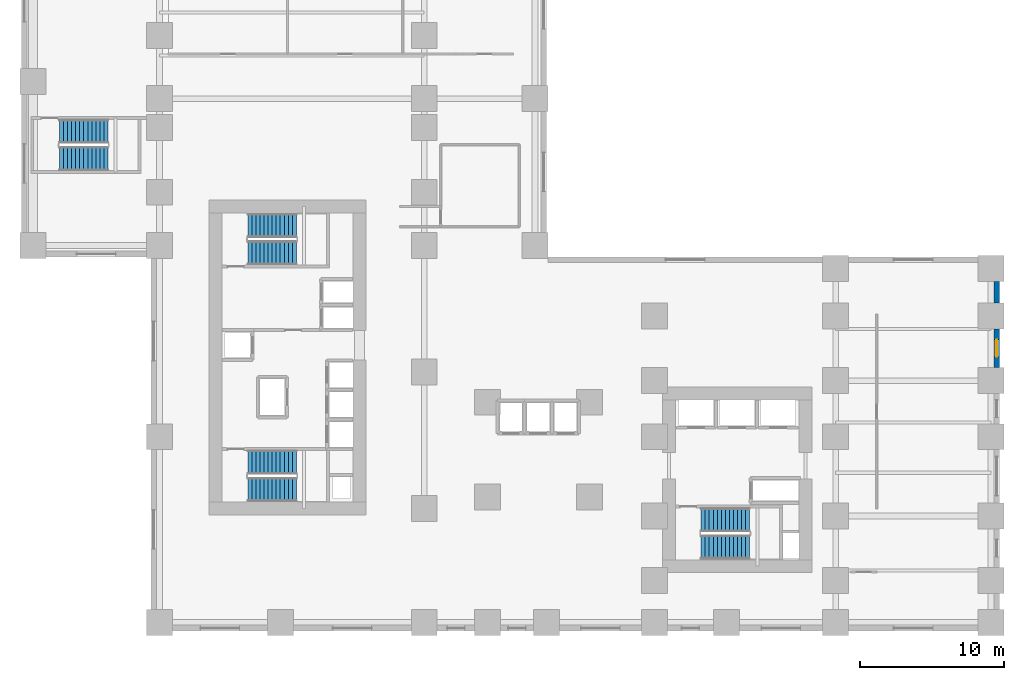
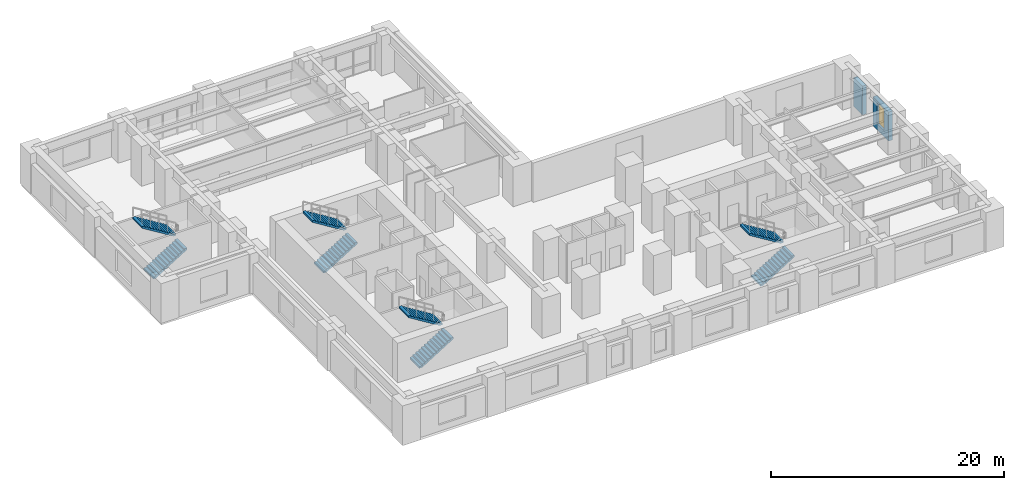
# One storey, part 8 of 11: 8 stair flights, 2 walls, 1 window, 1 opening, 4 elements without a shape of their own.
"""IFC4 building model written with IfcOpenShell, lengths in metres."""

from ifc_helpers import new_model, si_unit, direction, frame, frame_2d, origin, place, context, subcontext, project, spatial, polyline, rectangle, outline, extrude, source, transform, mapped, material, layer, layer_set, type_object, element, fill, aggregate, save


model = new_model("IFC4")

# Units and contexts
model_context = context("Model", 3, precision=1e-05, world=origin(), true_north=direction((0.0, 1.0)))
body_context = subcontext(model_context, "Body", "Model", "MODEL_VIEW")
ifc_project = project(units=[si_unit("LENGTHUNIT", "METRE"), si_unit("AREAUNIT", "SQUARE_METRE"), si_unit("VOLUMEUNIT", "CUBIC_METRE"), si_unit("PLANEANGLEUNIT", "RADIAN"), si_unit("MASSUNIT", "GRAM", prefix="KILO")], contexts=[model_context])

# Site, building, storey
site_placement = place(None, origin())
site = spatial("IfcSite", under=ifc_project, at=site_placement, CompositionType="ELEMENT")
building_placement = place(site_placement, origin())
building = spatial("IfcBuilding", under=site, at=building_placement, Name="Kharzan Plaza Tower", CompositionType="ELEMENT")
storey_placement = place(building_placement, frame((0.0, 0.0, 13.5)))
storey = spatial("IfcBuildingStorey", under=building, at=storey_placement, Name="L03", CompositionType="ELEMENT", Elevation=13.5)

# Wall, opening, window
ifc_material_1 = material(Name="Concrete C40/50", Category="concrete")
ifc_layer = layer(ifc_material_1, 0.39990234375)
ifc_layer_set = layer_set([ifc_layer], Name="Concrete C40/50")
wall_type = type_object("IfcWallType", Name="WL-POD-MAS-400", PredefinedType="SOLIDWALL", material=ifc_layer_set)
wall_1_placement = place(storey_placement, frame((58.800048828125, 18.298095703125, 0.0), z_axis=(0.0, 0.0, 1.0), x_axis=(0.0, 1.0, 0.0)))
wall_1 = element("IfcWall", 1, at=wall_1_placement, inside=storey, type_object=wall_type, Name="L03 Masonry-Frame Exterior Wall 28", PredefinedType="SOLIDWALL", context=body_context, shape_type="SweptSolid", body=[
    extrude(rectangle(XDim=2.703857421875, YDim=0.39990234375, at=frame_2d((1.35205078125, 0.0))), origin(), (0.0, 0.0, 1.0), 3.034912109375),
])
opening_placement = place(wall_1_placement, frame((0.751953125, 0.0, 0.64990234375)))
opening = element("IfcOpeningElement", 2, at=opening_placement, cuts=wall_1, Name="Opening W3", PredefinedType="OPENING", context=body_context, shape_type="SweptSolid", body=[
    extrude(rectangle(XDim=1.199951171875, YDim=2.205078125, at=frame_2d((0.60009765625, 1.1025390625))), frame((0.0, 0.2099609375, 0.0), z_axis=(0.0, -1.0, 0.0), x_axis=(1.0, 0.0, 0.0)), (0.0, 0.0, 1.0), 0.419921875),
])
ifc_material_2 = material(Name="Low-E Double Glazing", Category="glass")
window_type = type_object("IfcWindowType", Name="WN-REC-1200x2100", PartitioningType="SINGLE_PANEL", PredefinedType="WINDOW", material=ifc_material_2)
shared_shape_1 = source(origin(), body_context, "Body", "SweptSolid", [
    extrude(rectangle(XDim=1.199951171875, YDim=2.205078125, at=frame_2d((0.60009765625, 1.1025390625))), frame((0.0, 0.030029296875, 0.0), z_axis=(0.0, -1.0, 0.0), x_axis=(1.0, 0.0, 0.0)), (0.0, 0.0, 1.0), 0.06005859375),
])
window_placement = place(opening_placement, origin())
window = element("IfcWindow", 3, at=window_placement, inside=storey, type_object=window_type, Name="L03 Recessed Solar-Control Window 28-1", OverallHeight=2.205078125, OverallWidth=1.199951171875, PartitioningType="SINGLE_PANEL", PredefinedType="WINDOW", context=body_context, shape_type="MappedRepresentation", body=[
    mapped(shared_shape_1, transform((0.0, 0.0, 0.0), x_axis=(1.0, 0.0, 0.0), y_axis=(0.0, 1.0, 0.0), z_axis=(0.0, 0.0, 1.0))),
])
fill(opening, window)

# Wall
shared_shape_2 = source(origin(), body_context, "Body", "SweptSolid", [
    extrude(rectangle(XDim=1.50390625, YDim=0.39990234375, at=frame_2d((0.751953125, 0.0))), origin(), (0.0, 0.0, 1.0), 3.034912109375),
])
wall_2_placement = place(storey_placement, frame((58.800048828125, 22.798095703125, 0.0), z_axis=(0.0, 0.0, 1.0), x_axis=(0.0, 1.0, 0.0)))
element("IfcWall", 4, at=wall_2_placement, inside=storey, type_object=wall_type, Name="L03 Masonry-Frame Exterior Wall 29", PredefinedType="SOLIDWALL", context=body_context, shape_type="MappedRepresentation", body=[
    mapped(shared_shape_2, transform((0.0, 0.0, 0.0), x_axis=(1.0, 0.0, 0.0), y_axis=(0.0, 1.0, 0.0), z_axis=(0.0, 0.0, 1.0))),
])

# Stair, stair flights
stair_type_1 = type_object("IfcStairType", Name="STR-ST-1", PredefinedType="HALF_TURN_STAIR", material=ifc_material_1)
stair_1_placement = place(storey_placement, origin())
stair_1 = element("IfcStair", 5, at=stair_1_placement, inside=storey, type_object=stair_type_1, Name="L03 Protected Exit Stair ST-1", PredefinedType="HALF_TURN_STAIR")
stair_flight_type = type_object("IfcStairFlightType", Name="SFL-1650-R173", PredefinedType="STRAIGHT", material=ifc_material_1)
shared_shape_3 = source(origin(), body_context, "Body", "SweptSolid", [
    extrude(outline(polyline([(-0.0029296875, -0.011962890625), (-0.0029296875, 0.0), (0.0, 0.0), (0.0, 0.173095703125), (0.280029296875, 0.173095703125), (0.280029296875, 0.34619140625), (0.56005859375, 0.34619140625), (0.56005859375, 0.519287109375), (0.840087890625, 0.519287109375), (0.840087890625, 0.6923828125), (1.1201171875, 0.6923828125), (1.1201171875, 0.865478515625), (1.400146484375, 0.865478515625), (1.400146484375, 1.03857421875), (1.68017578125, 1.03857421875), (1.68017578125, 1.211669921875), (1.960205078125, 1.211669921875), (1.960205078125, 1.384765625), (2.240234375, 1.384765625), (2.240234375, 1.557861328125), (2.520263671875, 1.557861328125), (2.520263671875, 1.73095703125), (2.80029296875, 1.73095703125), (2.80029296875, 1.904052734375), (3.080322265625, 1.904052734375), (3.080322265625, 2.0771484375), (3.3603515625, 2.0771484375), (3.3603515625, 2.250244140625), (3.3603515625, 1.90087890625), (0.28515625, 0.0), (0.28515625, -0.011962890625), (-0.0029296875, -0.011962890625)])), frame((0.0, 0.824951171875, 0.0), z_axis=(0.0, -1.0, 0.0), x_axis=(1.0, 0.0, 0.0)), (0.0, 0.0, 1.0), 1.64990234375),
])
stair_flight_1_placement = place(storey_placement, frame((6.75, 9.824951171875, 0.0), z_axis=(0.0, 0.0, 1.0), x_axis=(1.0, 0.0, 0.0)))
stair_flight_1 = element("IfcStairFlight", 6, at=stair_flight_1_placement, type_object=stair_flight_type, Name="ST-1 flight 1", NumberOfRisers=13, NumberOfTreads=12, PredefinedType="STRAIGHT", RiserHeight=0.173076923, TreadLength=0.28, context=body_context, shape_type="MappedRepresentation", body=[
    mapped(shared_shape_3, transform((0.0, 0.0, 0.0), x_axis=(1.0, 0.0, 0.0), y_axis=(0.0, 1.0, 0.0), z_axis=(0.0, 0.0, 1.0))),
])
stair_flight_2_placement = place(storey_placement, frame((10.110107421875, 11.72509765625, 2.25), z_axis=(0.0, 0.0, 1.0), x_axis=(-1.0, 0.0, 0.0)))
stair_flight_2 = element("IfcStairFlight", 7, at=stair_flight_2_placement, type_object=stair_flight_type, Name="ST-1 flight 2", NumberOfRisers=13, NumberOfTreads=12, PredefinedType="STRAIGHT", RiserHeight=0.173076923, TreadLength=0.28, context=body_context, shape_type="MappedRepresentation", body=[
    mapped(shared_shape_3, transform((0.0, 0.0, 0.0), x_axis=(1.0, 0.0, 0.0), y_axis=(0.0, 1.0, 0.0), z_axis=(0.0, 0.0, 1.0))),
])
aggregate(stair_1, [stair_flight_1, stair_flight_2])

stair_type_2 = type_object("IfcStairType", Name="STR-ST-2", PredefinedType="HALF_TURN_STAIR", material=ifc_material_1)
stair_2_placement = place(storey_placement, origin())
stair_2 = element("IfcStair", 8, at=stair_2_placement, inside=storey, type_object=stair_type_2, Name="L03 Protected Exit Stair ST-2", PredefinedType="HALF_TURN_STAIR")
stair_flight_3_placement = place(storey_placement, frame((6.75, 26.27490234375, 0.0), z_axis=(0.0, 0.0, 1.0), x_axis=(1.0, 0.0, 0.0)))
stair_flight_3 = element("IfcStairFlight", 9, at=stair_flight_3_placement, type_object=stair_flight_type, Name="ST-2 flight 1", NumberOfRisers=13, NumberOfTreads=12, PredefinedType="STRAIGHT", RiserHeight=0.173076923, TreadLength=0.28, context=body_context, shape_type="MappedRepresentation", body=[
    mapped(shared_shape_3, transform((0.0, 0.0, 0.0), x_axis=(1.0, 0.0, 0.0), y_axis=(0.0, 1.0, 0.0), z_axis=(0.0, 0.0, 1.0))),
])
stair_flight_4_placement = place(storey_placement, frame((10.110107421875, 28.175048828125, 2.25), z_axis=(0.0, 0.0, 1.0), x_axis=(-1.0, 0.0, 0.0)))
stair_flight_4 = element("IfcStairFlight", 10, at=stair_flight_4_placement, type_object=stair_flight_type, Name="ST-2 flight 2", NumberOfRisers=13, NumberOfTreads=12, PredefinedType="STRAIGHT", RiserHeight=0.173076923, TreadLength=0.28, context=body_context, shape_type="MappedRepresentation", body=[
    mapped(shared_shape_3, transform((0.0, 0.0, 0.0), x_axis=(1.0, 0.0, 0.0), y_axis=(0.0, 1.0, 0.0), z_axis=(0.0, 0.0, 1.0))),
])
aggregate(stair_2, [stair_flight_3, stair_flight_4])

stair_type_3 = type_object("IfcStairType", Name="STR-ST-3", PredefinedType="HALF_TURN_STAIR", material=ifc_material_1)
stair_3_placement = place(storey_placement, origin())
stair_3 = element("IfcStair", 11, at=stair_3_placement, inside=storey, type_object=stair_type_3, Name="L03 Protected Exit Stair ST-3", PredefinedType="HALF_TURN_STAIR")
stair_flight_5_placement = place(storey_placement, frame((38.25, 5.824951171875, 0.0), z_axis=(0.0, 0.0, 1.0), x_axis=(1.0, 0.0, 0.0)))
stair_flight_5 = element("IfcStairFlight", 12, at=stair_flight_5_placement, type_object=stair_flight_type, Name="ST-3 flight 1", NumberOfRisers=13, NumberOfTreads=12, PredefinedType="STRAIGHT", RiserHeight=0.173076923, TreadLength=0.28, context=body_context, shape_type="MappedRepresentation", body=[
    mapped(shared_shape_3, transform((0.0, 0.0, 0.0), x_axis=(1.0, 0.0, 0.0), y_axis=(0.0, 1.0, 0.0), z_axis=(0.0, 0.0, 1.0))),
])
stair_flight_6_placement = place(storey_placement, frame((41.610107421875, 7.72509765625, 2.25), z_axis=(0.0, 0.0, 1.0), x_axis=(-1.0, 0.0, 0.0)))
stair_flight_6 = element("IfcStairFlight", 13, at=stair_flight_6_placement, type_object=stair_flight_type, Name="ST-3 flight 2", NumberOfRisers=13, NumberOfTreads=12, PredefinedType="STRAIGHT", RiserHeight=0.173076923, TreadLength=0.28, context=body_context, shape_type="MappedRepresentation", body=[
    mapped(shared_shape_3, transform((0.0, 0.0, 0.0), x_axis=(1.0, 0.0, 0.0), y_axis=(0.0, 1.0, 0.0), z_axis=(0.0, 0.0, 1.0))),
])
aggregate(stair_3, [stair_flight_5, stair_flight_6])

stair_type_4 = type_object("IfcStairType", Name="STR-ST-4", PredefinedType="HALF_TURN_STAIR", material=ifc_material_1)
stair_4_placement = place(storey_placement, origin())
stair_4 = element("IfcStair", 14, at=stair_4_placement, inside=storey, type_object=stair_type_4, Name="L03 Podium Exit Stair ST-4", PredefinedType="HALF_TURN_STAIR")
stair_flight_7_placement = place(storey_placement, frame((-6.35009765625, 32.824951171875, 0.0), z_axis=(0.0, 0.0, 1.0), x_axis=(1.0, 0.0, 0.0)))
stair_flight_7 = element("IfcStairFlight", 15, at=stair_flight_7_placement, type_object=stair_flight_type, Name="ST-4 flight 1", NumberOfRisers=13, NumberOfTreads=12, PredefinedType="STRAIGHT", RiserHeight=0.173076923, TreadLength=0.28, context=body_context, shape_type="MappedRepresentation", body=[
    mapped(shared_shape_3, transform((0.0, 0.0, 0.0), x_axis=(1.0, 0.0, 0.0), y_axis=(0.0, 1.0, 0.0), z_axis=(0.0, 0.0, 1.0))),
])
stair_flight_8_placement = place(storey_placement, frame((-2.989990234375, 34.72509765625, 2.25), z_axis=(0.0, 0.0, 1.0), x_axis=(-1.0, 0.0, 0.0)))
stair_flight_8 = element("IfcStairFlight", 16, at=stair_flight_8_placement, type_object=stair_flight_type, Name="ST-4 flight 2", NumberOfRisers=13, NumberOfTreads=12, PredefinedType="STRAIGHT", RiserHeight=0.173076923, TreadLength=0.28, context=body_context, shape_type="MappedRepresentation", body=[
    mapped(shared_shape_3, transform((0.0, 0.0, 0.0), x_axis=(1.0, 0.0, 0.0), y_axis=(0.0, 1.0, 0.0), z_axis=(0.0, 0.0, 1.0))),
])
aggregate(stair_4, [stair_flight_7, stair_flight_8])

save(model, "model.ifc")
